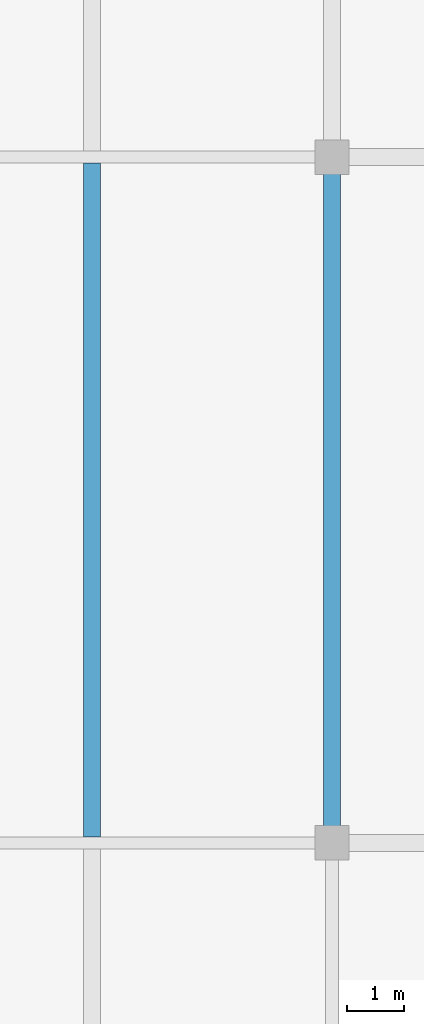
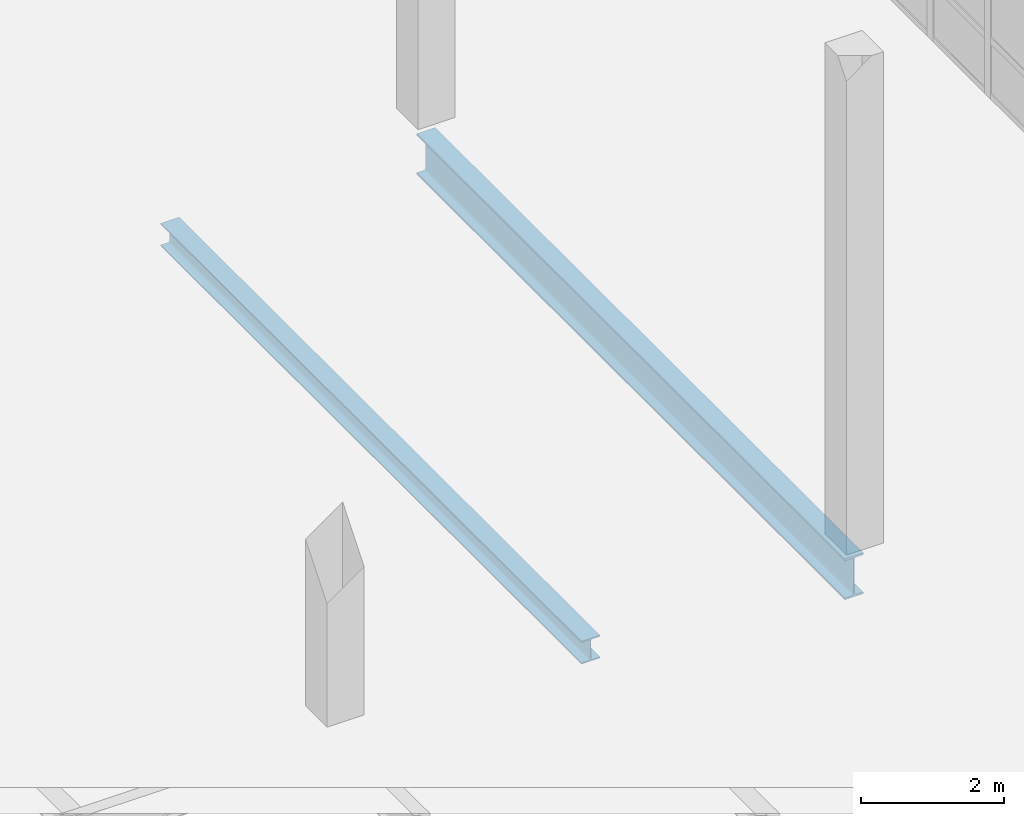
# One storey, part 95 of 131: 2 beams.
"""IFC4 building model written with IfcOpenShell, lengths in metres."""

from ifc_helpers import new_model, si_unit, direction, frame, origin, origin_2d, place, context, subcontext, project, spatial, i_section, extrude, material, material_profile, profile_set, type_object, element, save


model = new_model("IFC4")

# Units and contexts
model_context = context("Model", 3, precision=1e-05, world=origin(), true_north=direction((0.0, 1.0)))
body_context = subcontext(model_context, "Body", "Model", "MODEL_VIEW")
ifc_project = project(units=[si_unit("LENGTHUNIT", "METRE"), si_unit("AREAUNIT", "SQUARE_METRE"), si_unit("VOLUMEUNIT", "CUBIC_METRE"), si_unit("PLANEANGLEUNIT", "RADIAN"), si_unit("MASSUNIT", "GRAM", prefix="KILO")], contexts=[model_context])

# Site, building, storey
site_placement = place(None, origin())
site = spatial("IfcSite", under=ifc_project, at=site_placement, CompositionType="ELEMENT")
building_placement = place(site_placement, origin())
building = spatial("IfcBuilding", under=site, at=building_placement, Name="Veltarok Museum of Natural Sciences", CompositionType="ELEMENT")
storey_placement = place(building_placement, origin())
storey = spatial("IfcBuildingStorey", under=building, at=storey_placement, Name="L00", CompositionType="ELEMENT", Elevation=0.0)

# Beams
ifc_material = material(Name="Steel S355J2", Category="steel")
ifc_material_profile_1 = material_profile(ifc_material, i_section(OverallWidth=0.300048828125, OverallDepth=0.389892578125, WebThickness=0.010986328125, FlangeThickness=0.01904296875, FilletRadius=0.027099609375, at=origin_2d()), Name="HEA 400")
ifc_profile_set_1 = profile_set([ifc_material_profile_1], Name="Steel S355J2")
beam_type_1 = type_object("IfcBeamType", Name="Heavy Archive Joist HEA 400", PredefinedType="JOIST", material=ifc_profile_set_1)
beam_1_placement = place(storey_placement, frame((153.39990234375, 36.10302734375, -0.4951171875), z_axis=(0.0, 1.0, 0.0), x_axis=(-1.0, 0.0, 0.0)))
element("IfcBeam", 1, at=beam_1_placement, inside=storey, type_object=beam_type_1, Name="Secondary Joist BM-J06 L00 18-19/E-F.1", PredefinedType="JOIST", context=body_context, shape_type="SweptSolid", body=[
    extrude(i_section(OverallWidth=0.300048828125, OverallDepth=0.389892578125, WebThickness=0.010986328125, FlangeThickness=0.01904296875, FilletRadius=0.027099609375, at=origin_2d()), origin(), (0.0, 0.0, 1.0), 11.7939453125),
])
ifc_material_profile_2 = material_profile(ifc_material, i_section(OverallWidth=0.300048828125, OverallDepth=0.699951171875, WebThickness=0.01708984375, FlangeThickness=0.031982421875, FilletRadius=0.027099609375, at=origin_2d()), Name="HEB 700")
ifc_profile_set_2 = profile_set([ifc_material_profile_2], Name="Steel S355J2")
beam_type_2 = type_object("IfcBeamType", Name="Long-Span Hall Girder HEB 700", PredefinedType="BEAM", material=ifc_profile_set_2)
beam_2_placement = place(storey_placement, frame((157.60009765625, 36.0, -0.64990234375), z_axis=(0.0, 1.0, 0.0), x_axis=(-1.0, 0.0, 0.0)))
element("IfcBeam", 2, at=beam_2_placement, inside=storey, type_object=beam_type_2, Name="Beam BM-G01 L00 19/E-F", PredefinedType="BEAM", context=body_context, shape_type="SweptSolid", body=[
    extrude(i_section(OverallWidth=0.300048828125, OverallDepth=0.699951171875, WebThickness=0.01708984375, FlangeThickness=0.031982421875, FilletRadius=0.027099609375, at=origin_2d()), origin(), (0.0, 0.0, 1.0), 12.0),
])

save(model, "model.ifc")
